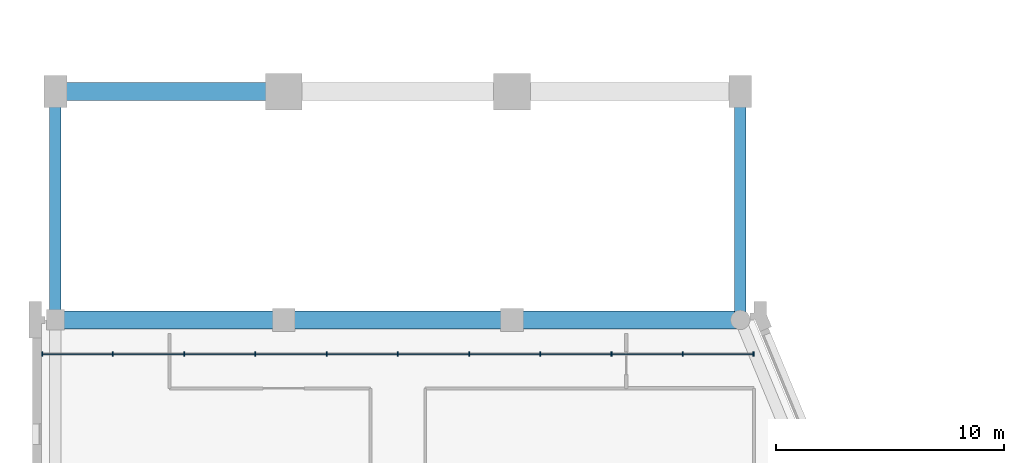
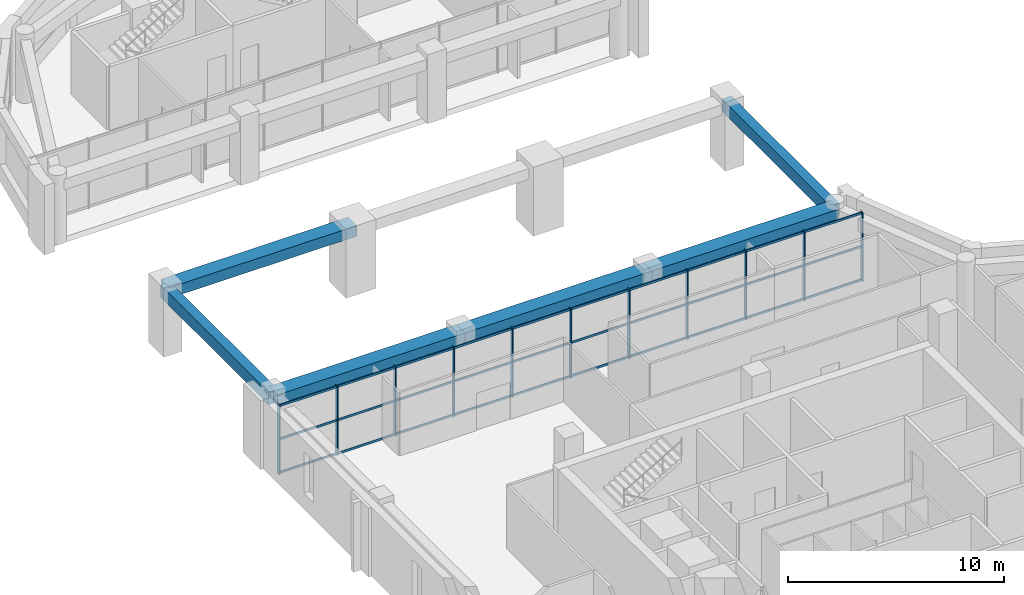
# One storey, part 2 of 11: 41 members, 6 beams, 1 element without a shape of its own.
"""IFC4 building model written with IfcOpenShell, lengths in metres."""

import ifcopenshell
import ifcopenshell.guid

model = None  # the IFC model being written
_history = None  # IfcOwnerHistory: only IFC2X3 demands one
_inside = {}  # id of a spatial element -> (the spatial element, [elements in it])
_under = {}  # id of a project, library or spatial element -> (it, [spatial elements below it])
_declared = {}  # id of a project -> (the project, [libraries it declares])
_typed = {}  # id of a type object -> (the type object, [elements of that type])
_made_of = {}  # id of a material, layer set ... -> (it, [elements and type objects made of it])


def new_model(schema):
    """Start an empty IFC model of exactly this schema.

    Asked for "IFC4X3", IfcOpenShell would pick the latest addendum, in which some entities
    have other attributes; the version numbers below select the first issue.
    IFC2X3 requires an IfcOwnerHistory on every rooted entity: one is made here for all.
    """
    global model, _history
    if schema == "IFC4X3":
        model = ifcopenshell.file(schema_version=(4, 3, 0, 0))
    else:
        model = ifcopenshell.file(schema=schema)
    _inside.clear()
    _under.clear()
    _declared.clear()
    _typed.clear()
    _made_of.clear()
    _history = None
    if model.schema == "IFC2X3":
        org = make("IfcOrganization", Name="unknown")
        user = make(
            "IfcPersonAndOrganization",
            ThePerson=make("IfcPerson", FamilyName="unknown"),
            TheOrganization=org,
        )
        app = make(
            "IfcApplication",
            ApplicationDeveloper=org,
            Version="unknown",
            ApplicationFullName="unknown",
            ApplicationIdentifier="unknown",
        )
        _history = make(
            "IfcOwnerHistory",
            OwningUser=user,
            OwningApplication=app,
            ChangeAction="ADDED",
            CreationDate=0,
        )
    return model


def make(cls, **values):
    """One entity of the class cls with the attributes given. An attribute that is None is left unset."""
    return model.create_entity(
        cls, **{name: value for name, value in values.items() if value is not None}
    )


def rooted(cls, **values):
    """An entity with a GlobalId (a new one), such as an element, a storey or a relation."""
    return make(cls, GlobalId=ifcopenshell.guid.new(), OwnerHistory=_history, **values)


def si_unit(unit_type, name, prefix=None):
    """IfcSIUnit, for example si_unit("LENGTHUNIT", "METRE", prefix="MILLI")."""
    return make("IfcSIUnit", UnitType=unit_type, Prefix=prefix, Name=name)


def assignment(units):
    """IfcUnitAssignment: the units of a project."""
    return None if units is None else make("IfcUnitAssignment", Units=units)


def point(xyz):
    """IfcCartesianPoint."""
    return None if xyz is None else make("IfcCartesianPoint", Coordinates=xyz)


def direction(xyz):
    """IfcDirection."""
    return None if xyz is None else make("IfcDirection", DirectionRatios=xyz)


def frame(location, z_axis=None, x_axis=None):
    """IfcAxis2Placement3D, a coordinate frame: its origin and axes. An axis left out is left unset."""
    return make(
        "IfcAxis2Placement3D",
        Location=point(location),
        Axis=direction(z_axis),
        RefDirection=direction(x_axis),
    )


def frame_2d(location, x_axis=None):
    """IfcAxis2Placement2D, a coordinate frame in the plane: its origin and x axis."""
    return make(
        "IfcAxis2Placement2D", Location=point(location), RefDirection=direction(x_axis)
    )


def origin():
    """The frame at (0, 0, 0) with its axes left unset."""
    return frame((0.0, 0.0, 0.0))


def origin_2d():
    """The frame at (0, 0) in the plane with its x axis left unset."""
    return frame_2d((0.0, 0.0))


def place(relative_to, where):
    """IfcLocalPlacement: puts the frame where relative to a parent placement (None: the world)."""
    return make(
        "IfcLocalPlacement", PlacementRelTo=relative_to, RelativePlacement=where
    )


def context(
    kind, dimensions, precision=None, world=None, true_north=None, identifier=None
):
    """IfcGeometricRepresentationContext, for example the 3D "Model" context."""
    return make(
        "IfcGeometricRepresentationContext",
        ContextIdentifier=identifier,
        ContextType=kind,
        CoordinateSpaceDimension=dimensions,
        Precision=precision,
        WorldCoordinateSystem=world,
        TrueNorth=true_north,
    )


def subcontext(parent, identifier, kind, view, scale=None):
    """IfcGeometricRepresentationSubContext, for example "Body" below "Model"."""
    return make(
        "IfcGeometricRepresentationSubContext",
        ContextIdentifier=identifier,
        ContextType=kind,
        ParentContext=parent,
        TargetScale=scale,
        TargetView=view,
    )


def project(units=None, contexts=None):
    """IfcProject with its units and contexts."""
    return rooted(
        "IfcProject",
        Name="project",
        RepresentationContexts=contexts,
        UnitsInContext=assignment(units),
    )


def spatial(cls, under=None, at=None, **own):
    """A site, building, storey or space (cls), placed at a placement, below another one or the project."""
    s = rooted(cls, ObjectPlacement=at, **own)
    if under is not None:
        _under.setdefault(under.id(), (under, []))[1].append(s)
    return s


def profile(cls, at=None, kind="AREA", **sizes):
    """A parametric profile (cls). Its sizes go by their IFC names, for example OverallWidth=200.0."""
    return make(cls, ProfileType=kind, Position=at, **sizes)


def rectangle(**sizes):
    """IfcRectangleProfileDef."""
    return profile("IfcRectangleProfileDef", **sizes)


def extrude(swept, where, along, depth):
    """IfcExtrudedAreaSolid: the profile swept, set in the frame where, extruded along a direction by depth."""
    return make(
        "IfcExtrudedAreaSolid",
        SweptArea=swept,
        Position=where,
        ExtrudedDirection=direction(along),
        Depth=depth,
    )


def shape(context_of_items, identifier, shape_type, items):
    """IfcShapeRepresentation: the items that make up one representation, for example the "Body"."""
    return make(
        "IfcShapeRepresentation",
        ContextOfItems=context_of_items,
        RepresentationIdentifier=identifier,
        RepresentationType=shape_type,
        Items=items,
    )


def material(Name=None, Category=None):
    """IfcMaterial."""
    return make("IfcMaterial", Name=Name, Category=Category)


def layer(
    of_material, thickness, ventilated=None, Name=None, Category=None, Priority=None
):
    """IfcMaterialLayer: one layer of a wall or slab, of a material (None: an air gap)."""
    return make(
        "IfcMaterialLayer",
        Material=of_material,
        LayerThickness=thickness,
        IsVentilated=ventilated,
        Name=Name,
        Category=Category,
        Priority=Priority,
    )


def layer_set(layers, Name=None):
    """IfcMaterialLayerSet."""
    return make("IfcMaterialLayerSet", MaterialLayers=layers, LayerSetName=Name)


def material_profile(
    of_material, cross_section, Name=None, Category=None, Priority=None
):
    """IfcMaterialProfile: a cross section and its material."""
    return make(
        "IfcMaterialProfile",
        Name=Name,
        Material=of_material,
        Profile=cross_section,
        Priority=Priority,
        Category=Category,
    )


def profile_set(profiles, Name=None, composite=None):
    """IfcMaterialProfileSet."""
    return make(
        "IfcMaterialProfileSet",
        Name=Name,
        MaterialProfiles=profiles,
        CompositeProfile=composite,
    )


def made_of(thing, what):
    """Note that an element or type object is made of a material, layer set ...; save() writes the relation."""
    if what is not None:
        _made_of.setdefault(what.id(), (what, []))[1].append(thing)
    return thing


def type_object(cls, material=None, **own):
    """A type object (cls), such as IfcWallType, which elements share."""
    return made_of(rooted(cls, **own), material)


def element(
    cls,
    number,
    at=None,
    inside=None,
    cuts=None,
    type_object=None,
    material=None,
    context=None,
    identifier="Body",
    shape_type=None,
    held_by="IfcProductDefinitionShape",
    body=None,
    shapes=None,
    **own,
):
    """One element of the class cls, such as IfcWall. Its Tag is "e" and its number.

    at: its placement. inside: the storey or other place that contains it. cuts: it is an
    opening in that element (IfcRelVoidsElement). A single representation is given by context,
    identifier, shape_type and body (its items); several are given by shapes. held_by: the class
    of the entity that holds the representations. save() writes the other relations.
    """
    e = rooted(cls, Tag="e%d" % number, ObjectPlacement=at, **own)
    if body is not None:
        shapes = [shape(context, identifier, shape_type, body)]
    if shapes is not None:
        e.Representation = make(held_by, Representations=shapes)
    if inside is not None:
        _inside.setdefault(inside.id(), (inside, []))[1].append(e)
    if cuts is not None:
        rooted(
            "IfcRelVoidsElement", RelatingBuildingElement=cuts, RelatedOpeningElement=e
        )
    if type_object is not None:
        _typed.setdefault(type_object.id(), (type_object, []))[1].append(e)
    return made_of(e, material)


def aggregate(whole, parts):
    """IfcRelAggregates: a whole, such as a stair, and the parts it consists of."""
    return rooted("IfcRelAggregates", RelatingObject=whole, RelatedObjects=parts)


def save(model, path):
    """Write the relations noted so far, then the file.

    IfcRelAggregates (storeys below a building ...), IfcRelContainedInSpatialStructure (elements
    in a storey), IfcRelDefinesByType, IfcRelAssociatesMaterial and IfcRelDeclares: one each for
    every whole, place, type object, material and project.
    """
    for whole, parts in _under.values():
        aggregate(whole, parts)
    for where, things in _inside.values():
        rooted(
            "IfcRelContainedInSpatialStructure",
            RelatedElements=things,
            RelatingStructure=where,
        )
    for kind, things in _typed.values():
        rooted("IfcRelDefinesByType", RelatedObjects=things, RelatingType=kind)
    for what, things in _made_of.values():
        rooted("IfcRelAssociatesMaterial", RelatedObjects=things, RelatingMaterial=what)
    for by, libraries in _declared.values():
        rooted("IfcRelDeclares", RelatingContext=by, RelatedDefinitions=libraries)
    model.write(path)


model = new_model("IFC4")

# Units and contexts
model_context = context("Model", 3, precision=1e-05, world=origin(), true_north=direction((0.0, 1.0)))
body_context = subcontext(model_context, "Body", "Model", "MODEL_VIEW")
ifc_project = project(units=[si_unit("LENGTHUNIT", "METRE"), si_unit("AREAUNIT", "SQUARE_METRE"), si_unit("VOLUMEUNIT", "CUBIC_METRE"), si_unit("PLANEANGLEUNIT", "RADIAN"), si_unit("MASSUNIT", "GRAM", prefix="KILO")], contexts=[model_context])

# Site, building, storey
site_placement = place(None, origin())
site = spatial("IfcSite", under=ifc_project, at=site_placement, CompositionType="ELEMENT")
building_placement = place(site_placement, origin())
building = spatial("IfcBuilding", under=site, at=building_placement, Name="Qaws Garden Tower", CompositionType="ELEMENT")
storey_placement = place(building_placement, frame((0.0, 0.0, 317.699951171875)))
storey = spatial("IfcBuildingStorey", under=building, at=storey_placement, Name="L77", CompositionType="ELEMENT", Elevation=317.699951171875)

# Curtain wall, members
ifc_material_1 = material(Name="Anodised aluminium curtain wall frame", Category="aluminium")
ifc_layer = layer(ifc_material_1, 0.159912109375)
ifc_layer_set = layer_set([ifc_layer], Name="Anodised aluminium curtain wall frame")
curtain_wall_type = type_object("IfcCurtainWallType", Name="CW5 portal screen curtain wall", PredefinedType="NOTDEFINED", material=ifc_layer_set)
curtain_wall_placement = place(storey_placement, origin())
curtain_wall = element("IfcCurtainWall", 1, at=curtain_wall_placement, inside=storey, type_object=curtain_wall_type, Name="CW5 Portal screen 0", PredefinedType="NOTDEFINED")
ifc_material_2 = material(Name="Anodised aluminium curtain wall frame", Category="aluminium")
ifc_material_profile_1 = material_profile(ifc_material_2, rectangle(XDim=0.199951171875, YDim=0.050048828125, at=origin_2d()), Name="AL 50x200")
ifc_profile_set_1 = profile_set([ifc_material_profile_1], Name="Anodised aluminium curtain wall frame")
member_type_1 = type_object("IfcMemberType", Name="CW5 mullion 50 x 200", PredefinedType="MULLION", material=ifc_profile_set_1)
member_1_placement = place(storey_placement, frame((-0.574951171875, 38.5, 0.0), z_axis=(0.0, 0.0, 1.0), x_axis=(0.0, 1.0, 0.0)))
member_1 = element("IfcMember", 2, at=member_1_placement, type_object=member_type_1, Name="CW5 mullion 1", PredefinedType="MULLION", context=body_context, shape_type="SweptSolid", body=[
    extrude(rectangle(XDim=0.199951171875, YDim=0.050048828125, at=origin_2d()), origin(), (0.0, 0.0, 1.0), 3.900146484375),
])
member_2_placement = place(storey_placement, frame((2.52001953125, 38.5, 0.0), z_axis=(0.0, 0.0, 1.0), x_axis=(0.0, 1.0, 0.0)))
member_2 = element("IfcMember", 3, at=member_2_placement, type_object=member_type_1, Name="CW5 mullion 2", PredefinedType="MULLION", context=body_context, shape_type="SweptSolid", body=[
    extrude(rectangle(XDim=0.199951171875, YDim=0.050048828125, at=origin_2d()), origin(), (0.0, 0.0, 1.0), 3.900146484375),
])
member_3_placement = place(storey_placement, frame((5.639892578125, 38.5, 0.0), z_axis=(0.0, 0.0, 1.0), x_axis=(0.0, 1.0, 0.0)))
member_3 = element("IfcMember", 4, at=member_3_placement, type_object=member_type_1, Name="CW5 mullion 3", PredefinedType="MULLION", context=body_context, shape_type="SweptSolid", body=[
    extrude(rectangle(XDim=0.199951171875, YDim=0.050048828125, at=origin_2d()), origin(), (0.0, 0.0, 1.0), 3.900146484375),
])
member_4_placement = place(storey_placement, frame((8.760009765625, 38.5, 0.0), z_axis=(0.0, 0.0, 1.0), x_axis=(0.0, 1.0, 0.0)))
member_4 = element("IfcMember", 5, at=member_4_placement, type_object=member_type_1, Name="CW5 mullion 4", PredefinedType="MULLION", context=body_context, shape_type="SweptSolid", body=[
    extrude(rectangle(XDim=0.199951171875, YDim=0.050048828125, at=origin_2d()), origin(), (0.0, 0.0, 1.0), 3.900146484375),
])
member_5_placement = place(storey_placement, frame((11.8798828125, 38.5, 0.0), z_axis=(0.0, 0.0, 1.0), x_axis=(0.0, 1.0, 0.0)))
member_5 = element("IfcMember", 6, at=member_5_placement, type_object=member_type_1, Name="CW5 mullion 5", PredefinedType="MULLION", context=body_context, shape_type="SweptSolid", body=[
    extrude(rectangle(XDim=0.199951171875, YDim=0.050048828125, at=origin_2d()), origin(), (0.0, 0.0, 1.0), 3.900146484375),
])
member_6_placement = place(storey_placement, frame((15.0, 38.5, 0.0), z_axis=(0.0, 0.0, 1.0), x_axis=(0.0, 1.0, 0.0)))
member_6 = element("IfcMember", 7, at=member_6_placement, type_object=member_type_1, Name="CW5 mullion 6", PredefinedType="MULLION", context=body_context, shape_type="SweptSolid", body=[
    extrude(rectangle(XDim=0.199951171875, YDim=0.050048828125, at=origin_2d()), origin(), (0.0, 0.0, 1.0), 3.900146484375),
])
member_7_placement = place(storey_placement, frame((18.1201171875, 38.5, 0.0), z_axis=(0.0, 0.0, 1.0), x_axis=(0.0, 1.0, 0.0)))
member_7 = element("IfcMember", 8, at=member_7_placement, type_object=member_type_1, Name="CW5 mullion 7", PredefinedType="MULLION", context=body_context, shape_type="SweptSolid", body=[
    extrude(rectangle(XDim=0.199951171875, YDim=0.050048828125, at=origin_2d()), origin(), (0.0, 0.0, 1.0), 3.900146484375),
])
member_8_placement = place(storey_placement, frame((21.239990234375, 38.5, 0.0), z_axis=(0.0, 0.0, 1.0), x_axis=(0.0, 1.0, 0.0)))
member_8 = element("IfcMember", 9, at=member_8_placement, type_object=member_type_1, Name="CW5 mullion 8", PredefinedType="MULLION", context=body_context, shape_type="SweptSolid", body=[
    extrude(rectangle(XDim=0.199951171875, YDim=0.050048828125, at=origin_2d()), origin(), (0.0, 0.0, 1.0), 3.900146484375),
])
member_9_placement = place(storey_placement, frame((24.360107421875, 38.5, 0.0), z_axis=(0.0, 0.0, 1.0), x_axis=(0.0, 1.0, 0.0)))
member_9 = element("IfcMember", 10, at=member_9_placement, type_object=member_type_1, Name="CW5 mullion 9", PredefinedType="MULLION", context=body_context, shape_type="SweptSolid", body=[
    extrude(rectangle(XDim=0.199951171875, YDim=0.050048828125, at=origin_2d()), origin(), (0.0, 0.0, 1.0), 3.900146484375),
])
member_10_placement = place(storey_placement, frame((27.47998046875, 38.5, 0.0), z_axis=(0.0, 0.0, 1.0), x_axis=(0.0, 1.0, 0.0)))
member_10 = element("IfcMember", 11, at=member_10_placement, type_object=member_type_1, Name="CW5 mullion 10", PredefinedType="MULLION", context=body_context, shape_type="SweptSolid", body=[
    extrude(rectangle(XDim=0.199951171875, YDim=0.050048828125, at=origin_2d()), origin(), (0.0, 0.0, 1.0), 3.900146484375),
])
member_11_placement = place(storey_placement, frame((30.574951171875, 38.5, 0.0), z_axis=(0.0, 0.0, 1.0), x_axis=(0.0, 1.0, 0.0)))
member_11 = element("IfcMember", 12, at=member_11_placement, type_object=member_type_1, Name="CW5 mullion 11", PredefinedType="MULLION", context=body_context, shape_type="SweptSolid", body=[
    extrude(rectangle(XDim=0.199951171875, YDim=0.050048828125, at=origin_2d()), origin(), (0.0, 0.0, 1.0), 3.900146484375),
])
ifc_material_3 = material(Name="Anodised aluminium curtain wall frame", Category="aluminium")
ifc_material_profile_2 = material_profile(ifc_material_3, rectangle(XDim=0.050048828125, YDim=0.1201171875, at=origin_2d()), Name="AL 50x120")
ifc_profile_set_2 = profile_set([ifc_material_profile_2], Name="Anodised aluminium curtain wall frame")
member_type_2 = type_object("IfcMemberType", Name="CW5 transom 120 x 50", PredefinedType="USERDEFINED", material=ifc_profile_set_2)
member_12_placement = place(storey_placement, frame((-0.550048828125, 38.5, 0.06005859375), z_axis=(1.0, 0.0, 0.0), x_axis=(0.0, 1.0, 0.0)))
member_12 = element("IfcMember", 13, at=member_12_placement, type_object=member_type_2, Name="CW5 transom 1.1", ObjectType="TRANSOM", PredefinedType="USERDEFINED", context=body_context, shape_type="SweptSolid", body=[
    extrude(rectangle(XDim=0.050048828125, YDim=0.1201171875, at=origin_2d()), origin(), (0.0, 0.0, 1.0), 3.045166015625),
])
member_13_placement = place(storey_placement, frame((-0.550048828125, 38.5, 1.949951171875), z_axis=(1.0, 0.0, 0.0), x_axis=(0.0, 1.0, 0.0)))
member_13 = element("IfcMember", 14, at=member_13_placement, type_object=member_type_2, Name="CW5 transom 1.2", ObjectType="TRANSOM", PredefinedType="USERDEFINED", context=body_context, shape_type="SweptSolid", body=[
    extrude(rectangle(XDim=0.050048828125, YDim=0.1201171875, at=origin_2d()), origin(), (0.0, 0.0, 1.0), 3.045166015625),
])
member_14_placement = place(storey_placement, frame((-0.550048828125, 38.5, 3.840087890625), z_axis=(1.0, 0.0, 0.0), x_axis=(0.0, 1.0, 0.0)))
member_14 = element("IfcMember", 15, at=member_14_placement, type_object=member_type_2, Name="CW5 transom 1.3", ObjectType="TRANSOM", PredefinedType="USERDEFINED", context=body_context, shape_type="SweptSolid", body=[
    extrude(rectangle(XDim=0.050048828125, YDim=0.1201171875, at=origin_2d()), origin(), (0.0, 0.0, 1.0), 3.045166015625),
])
member_15_placement = place(storey_placement, frame((2.544921875, 38.5, 0.06005859375), z_axis=(1.0, 0.0, 0.0), x_axis=(0.0, 1.0, 0.0)))
member_15 = element("IfcMember", 16, at=member_15_placement, type_object=member_type_2, Name="CW5 transom 2.1", ObjectType="TRANSOM", PredefinedType="USERDEFINED", context=body_context, shape_type="SweptSolid", body=[
    extrude(rectangle(XDim=0.050048828125, YDim=0.1201171875, at=origin_2d()), origin(), (0.0, 0.0, 1.0), 3.070068359375),
])
member_16_placement = place(storey_placement, frame((2.544921875, 38.5, 1.949951171875), z_axis=(1.0, 0.0, 0.0), x_axis=(0.0, 1.0, 0.0)))
member_16 = element("IfcMember", 17, at=member_16_placement, type_object=member_type_2, Name="CW5 transom 2.2", ObjectType="TRANSOM", PredefinedType="USERDEFINED", context=body_context, shape_type="SweptSolid", body=[
    extrude(rectangle(XDim=0.050048828125, YDim=0.1201171875, at=origin_2d()), origin(), (0.0, 0.0, 1.0), 3.070068359375),
])
member_17_placement = place(storey_placement, frame((2.544921875, 38.5, 3.840087890625), z_axis=(1.0, 0.0, 0.0), x_axis=(0.0, 1.0, 0.0)))
member_17 = element("IfcMember", 18, at=member_17_placement, type_object=member_type_2, Name="CW5 transom 2.3", ObjectType="TRANSOM", PredefinedType="USERDEFINED", context=body_context, shape_type="SweptSolid", body=[
    extrude(rectangle(XDim=0.050048828125, YDim=0.1201171875, at=origin_2d()), origin(), (0.0, 0.0, 1.0), 3.070068359375),
])
member_18_placement = place(storey_placement, frame((5.6650390625, 38.5, 0.06005859375), z_axis=(1.0, 0.0, 0.0), x_axis=(0.0, 1.0, 0.0)))
member_18 = element("IfcMember", 19, at=member_18_placement, type_object=member_type_2, Name="CW5 transom 3.1", ObjectType="TRANSOM", PredefinedType="USERDEFINED", context=body_context, shape_type="SweptSolid", body=[
    extrude(rectangle(XDim=0.050048828125, YDim=0.1201171875, at=origin_2d()), origin(), (0.0, 0.0, 1.0), 3.070068359375),
])
member_19_placement = place(storey_placement, frame((5.6650390625, 38.5, 1.949951171875), z_axis=(1.0, 0.0, 0.0), x_axis=(0.0, 1.0, 0.0)))
member_19 = element("IfcMember", 20, at=member_19_placement, type_object=member_type_2, Name="CW5 transom 3.2", ObjectType="TRANSOM", PredefinedType="USERDEFINED", context=body_context, shape_type="SweptSolid", body=[
    extrude(rectangle(XDim=0.050048828125, YDim=0.1201171875, at=origin_2d()), origin(), (0.0, 0.0, 1.0), 3.070068359375),
])
member_20_placement = place(storey_placement, frame((5.6650390625, 38.5, 3.840087890625), z_axis=(1.0, 0.0, 0.0), x_axis=(0.0, 1.0, 0.0)))
member_20 = element("IfcMember", 21, at=member_20_placement, type_object=member_type_2, Name="CW5 transom 3.3", ObjectType="TRANSOM", PredefinedType="USERDEFINED", context=body_context, shape_type="SweptSolid", body=[
    extrude(rectangle(XDim=0.050048828125, YDim=0.1201171875, at=origin_2d()), origin(), (0.0, 0.0, 1.0), 3.070068359375),
])
member_21_placement = place(storey_placement, frame((8.784912109375, 38.5, 0.06005859375), z_axis=(1.0, 0.0, 0.0), x_axis=(0.0, 1.0, 0.0)))
member_21 = element("IfcMember", 22, at=member_21_placement, type_object=member_type_2, Name="CW5 transom 4.1", ObjectType="TRANSOM", PredefinedType="USERDEFINED", context=body_context, shape_type="SweptSolid", body=[
    extrude(rectangle(XDim=0.050048828125, YDim=0.1201171875, at=origin_2d()), origin(), (0.0, 0.0, 1.0), 3.070068359375),
])
member_22_placement = place(storey_placement, frame((8.784912109375, 38.5, 1.949951171875), z_axis=(1.0, 0.0, 0.0), x_axis=(0.0, 1.0, 0.0)))
member_22 = element("IfcMember", 23, at=member_22_placement, type_object=member_type_2, Name="CW5 transom 4.2", ObjectType="TRANSOM", PredefinedType="USERDEFINED", context=body_context, shape_type="SweptSolid", body=[
    extrude(rectangle(XDim=0.050048828125, YDim=0.1201171875, at=origin_2d()), origin(), (0.0, 0.0, 1.0), 3.070068359375),
])
member_23_placement = place(storey_placement, frame((8.784912109375, 38.5, 3.840087890625), z_axis=(1.0, 0.0, 0.0), x_axis=(0.0, 1.0, 0.0)))
member_23 = element("IfcMember", 24, at=member_23_placement, type_object=member_type_2, Name="CW5 transom 4.3", ObjectType="TRANSOM", PredefinedType="USERDEFINED", context=body_context, shape_type="SweptSolid", body=[
    extrude(rectangle(XDim=0.050048828125, YDim=0.1201171875, at=origin_2d()), origin(), (0.0, 0.0, 1.0), 3.070068359375),
])
member_24_placement = place(storey_placement, frame((11.905029296875, 38.5, 0.06005859375), z_axis=(1.0, 0.0, 0.0), x_axis=(0.0, 1.0, 0.0)))
member_24 = element("IfcMember", 25, at=member_24_placement, type_object=member_type_2, Name="CW5 transom 5.1", ObjectType="TRANSOM", PredefinedType="USERDEFINED", context=body_context, shape_type="SweptSolid", body=[
    extrude(rectangle(XDim=0.050048828125, YDim=0.1201171875, at=origin_2d()), origin(), (0.0, 0.0, 1.0), 3.070068359375),
])
member_25_placement = place(storey_placement, frame((11.905029296875, 38.5, 1.949951171875), z_axis=(1.0, 0.0, 0.0), x_axis=(0.0, 1.0, 0.0)))
member_25 = element("IfcMember", 26, at=member_25_placement, type_object=member_type_2, Name="CW5 transom 5.2", ObjectType="TRANSOM", PredefinedType="USERDEFINED", context=body_context, shape_type="SweptSolid", body=[
    extrude(rectangle(XDim=0.050048828125, YDim=0.1201171875, at=origin_2d()), origin(), (0.0, 0.0, 1.0), 3.070068359375),
])
member_26_placement = place(storey_placement, frame((11.905029296875, 38.5, 3.840087890625), z_axis=(1.0, 0.0, 0.0), x_axis=(0.0, 1.0, 0.0)))
member_26 = element("IfcMember", 27, at=member_26_placement, type_object=member_type_2, Name="CW5 transom 5.3", ObjectType="TRANSOM", PredefinedType="USERDEFINED", context=body_context, shape_type="SweptSolid", body=[
    extrude(rectangle(XDim=0.050048828125, YDim=0.1201171875, at=origin_2d()), origin(), (0.0, 0.0, 1.0), 3.070068359375),
])
member_27_placement = place(storey_placement, frame((15.02490234375, 38.5, 0.06005859375), z_axis=(1.0, 0.0, 0.0), x_axis=(0.0, 1.0, 0.0)))
member_27 = element("IfcMember", 28, at=member_27_placement, type_object=member_type_2, Name="CW5 transom 6.1", ObjectType="TRANSOM", PredefinedType="USERDEFINED", context=body_context, shape_type="SweptSolid", body=[
    extrude(rectangle(XDim=0.050048828125, YDim=0.1201171875, at=origin_2d()), origin(), (0.0, 0.0, 1.0), 3.070068359375),
])
member_28_placement = place(storey_placement, frame((15.02490234375, 38.5, 1.949951171875), z_axis=(1.0, 0.0, 0.0), x_axis=(0.0, 1.0, 0.0)))
member_28 = element("IfcMember", 29, at=member_28_placement, type_object=member_type_2, Name="CW5 transom 6.2", ObjectType="TRANSOM", PredefinedType="USERDEFINED", context=body_context, shape_type="SweptSolid", body=[
    extrude(rectangle(XDim=0.050048828125, YDim=0.1201171875, at=origin_2d()), origin(), (0.0, 0.0, 1.0), 3.070068359375),
])
member_29_placement = place(storey_placement, frame((15.02490234375, 38.5, 3.840087890625), z_axis=(1.0, 0.0, 0.0), x_axis=(0.0, 1.0, 0.0)))
member_29 = element("IfcMember", 30, at=member_29_placement, type_object=member_type_2, Name="CW5 transom 6.3", ObjectType="TRANSOM", PredefinedType="USERDEFINED", context=body_context, shape_type="SweptSolid", body=[
    extrude(rectangle(XDim=0.050048828125, YDim=0.1201171875, at=origin_2d()), origin(), (0.0, 0.0, 1.0), 3.070068359375),
])
member_30_placement = place(storey_placement, frame((18.14501953125, 38.5, 0.06005859375), z_axis=(1.0, 0.0, 0.0), x_axis=(0.0, 1.0, 0.0)))
member_30 = element("IfcMember", 31, at=member_30_placement, type_object=member_type_2, Name="CW5 transom 7.1", ObjectType="TRANSOM", PredefinedType="USERDEFINED", context=body_context, shape_type="SweptSolid", body=[
    extrude(rectangle(XDim=0.050048828125, YDim=0.1201171875, at=origin_2d()), origin(), (0.0, 0.0, 1.0), 3.070068359375),
])
member_31_placement = place(storey_placement, frame((18.14501953125, 38.5, 1.949951171875), z_axis=(1.0, 0.0, 0.0), x_axis=(0.0, 1.0, 0.0)))
member_31 = element("IfcMember", 32, at=member_31_placement, type_object=member_type_2, Name="CW5 transom 7.2", ObjectType="TRANSOM", PredefinedType="USERDEFINED", context=body_context, shape_type="SweptSolid", body=[
    extrude(rectangle(XDim=0.050048828125, YDim=0.1201171875, at=origin_2d()), origin(), (0.0, 0.0, 1.0), 3.070068359375),
])
member_32_placement = place(storey_placement, frame((18.14501953125, 38.5, 3.840087890625), z_axis=(1.0, 0.0, 0.0), x_axis=(0.0, 1.0, 0.0)))
member_32 = element("IfcMember", 33, at=member_32_placement, type_object=member_type_2, Name="CW5 transom 7.3", ObjectType="TRANSOM", PredefinedType="USERDEFINED", context=body_context, shape_type="SweptSolid", body=[
    extrude(rectangle(XDim=0.050048828125, YDim=0.1201171875, at=origin_2d()), origin(), (0.0, 0.0, 1.0), 3.070068359375),
])
member_33_placement = place(storey_placement, frame((21.264892578125, 38.5, 0.06005859375), z_axis=(1.0, 0.0, 0.0), x_axis=(0.0, 1.0, 0.0)))
member_33 = element("IfcMember", 34, at=member_33_placement, type_object=member_type_2, Name="CW5 transom 8.1", ObjectType="TRANSOM", PredefinedType="USERDEFINED", context=body_context, shape_type="SweptSolid", body=[
    extrude(rectangle(XDim=0.050048828125, YDim=0.1201171875, at=origin_2d()), origin(), (0.0, 0.0, 1.0), 3.070068359375),
])
member_34_placement = place(storey_placement, frame((21.264892578125, 38.5, 1.949951171875), z_axis=(1.0, 0.0, 0.0), x_axis=(0.0, 1.0, 0.0)))
member_34 = element("IfcMember", 35, at=member_34_placement, type_object=member_type_2, Name="CW5 transom 8.2", ObjectType="TRANSOM", PredefinedType="USERDEFINED", context=body_context, shape_type="SweptSolid", body=[
    extrude(rectangle(XDim=0.050048828125, YDim=0.1201171875, at=origin_2d()), origin(), (0.0, 0.0, 1.0), 3.070068359375),
])
member_35_placement = place(storey_placement, frame((21.264892578125, 38.5, 3.840087890625), z_axis=(1.0, 0.0, 0.0), x_axis=(0.0, 1.0, 0.0)))
member_35 = element("IfcMember", 36, at=member_35_placement, type_object=member_type_2, Name="CW5 transom 8.3", ObjectType="TRANSOM", PredefinedType="USERDEFINED", context=body_context, shape_type="SweptSolid", body=[
    extrude(rectangle(XDim=0.050048828125, YDim=0.1201171875, at=origin_2d()), origin(), (0.0, 0.0, 1.0), 3.070068359375),
])
member_36_placement = place(storey_placement, frame((24.385009765625, 38.5, 0.06005859375), z_axis=(1.0, 0.0, 0.0), x_axis=(0.0, 1.0, 0.0)))
member_36 = element("IfcMember", 37, at=member_36_placement, type_object=member_type_2, Name="CW5 transom 9.1", ObjectType="TRANSOM", PredefinedType="USERDEFINED", context=body_context, shape_type="SweptSolid", body=[
    extrude(rectangle(XDim=0.050048828125, YDim=0.1201171875, at=origin_2d()), origin(), (0.0, 0.0, 1.0), 3.070068359375),
])
member_37_placement = place(storey_placement, frame((24.385009765625, 38.5, 1.949951171875), z_axis=(1.0, 0.0, 0.0), x_axis=(0.0, 1.0, 0.0)))
member_37 = element("IfcMember", 38, at=member_37_placement, type_object=member_type_2, Name="CW5 transom 9.2", ObjectType="TRANSOM", PredefinedType="USERDEFINED", context=body_context, shape_type="SweptSolid", body=[
    extrude(rectangle(XDim=0.050048828125, YDim=0.1201171875, at=origin_2d()), origin(), (0.0, 0.0, 1.0), 3.070068359375),
])
member_38_placement = place(storey_placement, frame((24.385009765625, 38.5, 3.840087890625), z_axis=(1.0, 0.0, 0.0), x_axis=(0.0, 1.0, 0.0)))
member_38 = element("IfcMember", 39, at=member_38_placement, type_object=member_type_2, Name="CW5 transom 9.3", ObjectType="TRANSOM", PredefinedType="USERDEFINED", context=body_context, shape_type="SweptSolid", body=[
    extrude(rectangle(XDim=0.050048828125, YDim=0.1201171875, at=origin_2d()), origin(), (0.0, 0.0, 1.0), 3.070068359375),
])
member_39_placement = place(storey_placement, frame((27.5048828125, 38.5, 0.06005859375), z_axis=(1.0, 0.0, 0.0), x_axis=(0.0, 1.0, 0.0)))
member_39 = element("IfcMember", 40, at=member_39_placement, type_object=member_type_2, Name="CW5 transom 10.1", ObjectType="TRANSOM", PredefinedType="USERDEFINED", context=body_context, shape_type="SweptSolid", body=[
    extrude(rectangle(XDim=0.050048828125, YDim=0.1201171875, at=origin_2d()), origin(), (0.0, 0.0, 1.0), 3.045166015625),
])
member_40_placement = place(storey_placement, frame((27.5048828125, 38.5, 1.949951171875), z_axis=(1.0, 0.0, 0.0), x_axis=(0.0, 1.0, 0.0)))
member_40 = element("IfcMember", 41, at=member_40_placement, type_object=member_type_2, Name="CW5 transom 10.2", ObjectType="TRANSOM", PredefinedType="USERDEFINED", context=body_context, shape_type="SweptSolid", body=[
    extrude(rectangle(XDim=0.050048828125, YDim=0.1201171875, at=origin_2d()), origin(), (0.0, 0.0, 1.0), 3.045166015625),
])
member_41_placement = place(storey_placement, frame((27.5048828125, 38.5, 3.840087890625), z_axis=(1.0, 0.0, 0.0), x_axis=(0.0, 1.0, 0.0)))
member_41 = element("IfcMember", 42, at=member_41_placement, type_object=member_type_2, Name="CW5 transom 10.3", ObjectType="TRANSOM", PredefinedType="USERDEFINED", context=body_context, shape_type="SweptSolid", body=[
    extrude(rectangle(XDim=0.050048828125, YDim=0.1201171875, at=origin_2d()), origin(), (0.0, 0.0, 1.0), 3.045166015625),
])
aggregate(curtain_wall, [member_1, member_2, member_3, member_4, member_5, member_6, member_7, member_8, member_9, member_10, member_11, member_12, member_13, member_14, member_15, member_16, member_17, member_18, member_19, member_20, member_21, member_22, member_23, member_24, member_25, member_26, member_27, member_28, member_29, member_30, member_31, member_32, member_33, member_34, member_35, member_36, member_37, member_38, member_39, member_40, member_41])

# Beams
ifc_material_4 = material(Name="Concrete C45", Category="concrete")
ifc_material_profile_3 = material_profile(ifc_material_4, rectangle(XDim=0.800048828125, YDim=0.60009765625, at=origin_2d()), Name="RC 800x600")
ifc_profile_set_3 = profile_set([ifc_material_profile_3], Name="Concrete C45")
beam_type_1 = type_object("IfcBeamType", Name="Portal edge beam RC 800x600 C45", PredefinedType="BEAM", material=ifc_profile_set_3)
for number, where, z_axis, x_axis, name in (
    (43, (0.0, 40.0, 3.280029296875), (1.0, 0.0, 0.0), (0.0, 1.0, 0.0), "Portal edge beam L77-1"),
    (44, (10.0, 40.0, 3.280029296875), (1.0, 0.0, 0.0), (0.0, 1.0, 0.0), "Portal edge beam L77-2"),
    (45, (20.0, 40.0, 3.280029296875), (1.0, 0.0, 0.0), (0.0, 1.0, 0.0), "Portal edge beam L77-3"),
    (46, (0.0, 50.0, 3.280029296875), (1.0, 0.0, 0.0), (0.0, 1.0, 0.0), "Portal tie beam L77-4"),
):
    element("IfcBeam", number, at=place(storey_placement, frame(where, z_axis=z_axis, x_axis=x_axis)), inside=storey, type_object=beam_type_1, Name=name, PredefinedType="BEAM", context=body_context, shape_type="SweptSolid", body=[
        extrude(rectangle(XDim=0.800048828125, YDim=0.60009765625, at=origin_2d()), origin(), (0.0, 0.0, 1.0), 10.0),
    ])
ifc_material_5 = material(Name="Concrete C45", Category="concrete")
ifc_material_profile_4 = material_profile(ifc_material_5, rectangle(XDim=0.5, YDim=0.699951171875, at=origin_2d()), Name="RC 500x700")
ifc_profile_set_4 = profile_set([ifc_material_profile_4], Name="Concrete C45")
beam_type_2 = type_object("IfcBeamType", Name="Spandrel beam RC 500x700 C45", PredefinedType="SPANDREL", material=ifc_profile_set_4)
for number, where, z_axis, x_axis, name in (
    (47, (30.0, 40.0, 3.22998046875), (0.0, 1.0, 0.0), (-1.0, 0.0, 0.0), "Spandrel beam L77-008"),
    (48, (0.0, 50.0, 3.22998046875), (0.0, -1.0, 0.0), (1.0, 0.0, 0.0), "Spandrel beam L77-013"),
):
    element("IfcBeam", number, at=place(storey_placement, frame(where, z_axis=z_axis, x_axis=x_axis)), inside=storey, type_object=beam_type_2, Name=name, PredefinedType="SPANDREL", context=body_context, shape_type="SweptSolid", body=[
        extrude(rectangle(XDim=0.5, YDim=0.699951171875, at=origin_2d()), origin(), (0.0, 0.0, 1.0), 10.0),
    ])

save(model, "model.ifc")
